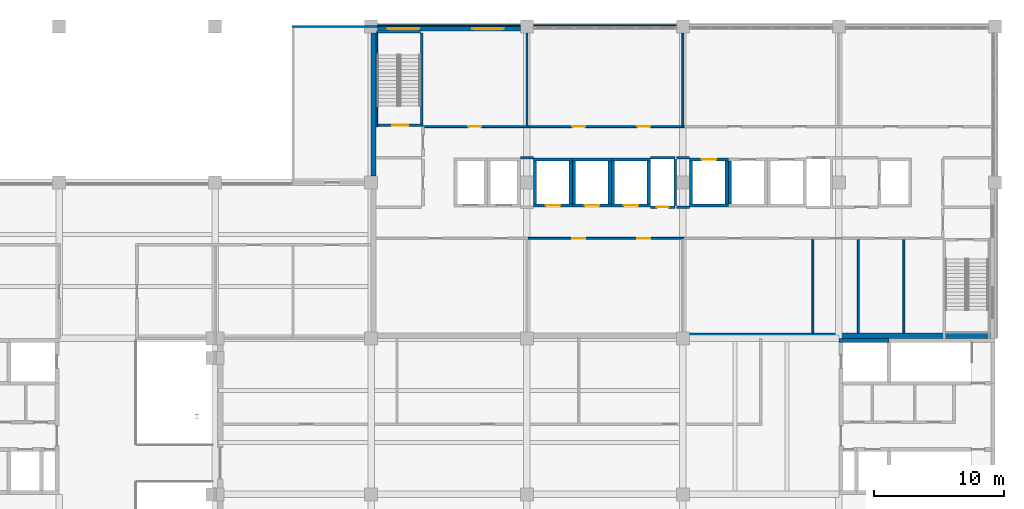
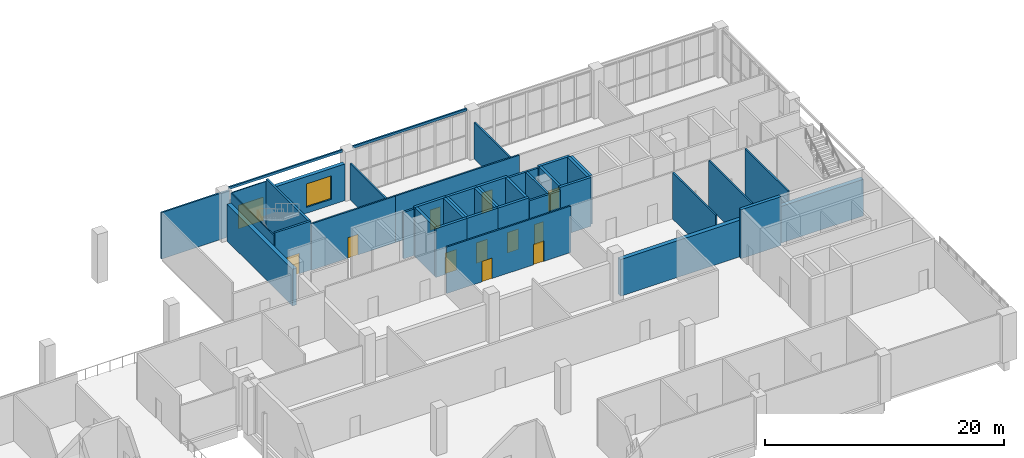
# One storey, part 63 of 69: 42 walls, 11 doors, 2 windows, 13 openings.
"""IFC4 building model written with IfcOpenShell, lengths in metres."""

import ifcopenshell
import ifcopenshell.guid

model = None  # the IFC model being written
_history = None  # IfcOwnerHistory: only IFC2X3 demands one
_inside = {}  # id of a spatial element -> (the spatial element, [elements in it])
_under = {}  # id of a project, library or spatial element -> (it, [spatial elements below it])
_declared = {}  # id of a project -> (the project, [libraries it declares])
_typed = {}  # id of a type object -> (the type object, [elements of that type])
_made_of = {}  # id of a material, layer set ... -> (it, [elements and type objects made of it])


def new_model(schema):
    """Start an empty IFC model of exactly this schema.

    Asked for "IFC4X3", IfcOpenShell would pick the latest addendum, in which some entities
    have other attributes; the version numbers below select the first issue.
    IFC2X3 requires an IfcOwnerHistory on every rooted entity: one is made here for all.
    """
    global model, _history
    if schema == "IFC4X3":
        model = ifcopenshell.file(schema_version=(4, 3, 0, 0))
    else:
        model = ifcopenshell.file(schema=schema)
    _inside.clear()
    _under.clear()
    _declared.clear()
    _typed.clear()
    _made_of.clear()
    _history = None
    if model.schema == "IFC2X3":
        org = make("IfcOrganization", Name="unknown")
        user = make(
            "IfcPersonAndOrganization",
            ThePerson=make("IfcPerson", FamilyName="unknown"),
            TheOrganization=org,
        )
        app = make(
            "IfcApplication",
            ApplicationDeveloper=org,
            Version="unknown",
            ApplicationFullName="unknown",
            ApplicationIdentifier="unknown",
        )
        _history = make(
            "IfcOwnerHistory",
            OwningUser=user,
            OwningApplication=app,
            ChangeAction="ADDED",
            CreationDate=0,
        )
    return model


def make(cls, **values):
    """One entity of the class cls with the attributes given. An attribute that is None is left unset."""
    return model.create_entity(
        cls, **{name: value for name, value in values.items() if value is not None}
    )


def rooted(cls, **values):
    """An entity with a GlobalId (a new one), such as an element, a storey or a relation."""
    return make(cls, GlobalId=ifcopenshell.guid.new(), OwnerHistory=_history, **values)


def si_unit(unit_type, name, prefix=None):
    """IfcSIUnit, for example si_unit("LENGTHUNIT", "METRE", prefix="MILLI")."""
    return make("IfcSIUnit", UnitType=unit_type, Prefix=prefix, Name=name)


def assignment(units):
    """IfcUnitAssignment: the units of a project."""
    return None if units is None else make("IfcUnitAssignment", Units=units)


def point(xyz):
    """IfcCartesianPoint."""
    return None if xyz is None else make("IfcCartesianPoint", Coordinates=xyz)


def direction(xyz):
    """IfcDirection."""
    return None if xyz is None else make("IfcDirection", DirectionRatios=xyz)


def frame(location, z_axis=None, x_axis=None):
    """IfcAxis2Placement3D, a coordinate frame: its origin and axes. An axis left out is left unset."""
    return make(
        "IfcAxis2Placement3D",
        Location=point(location),
        Axis=direction(z_axis),
        RefDirection=direction(x_axis),
    )


def frame_2d(location, x_axis=None):
    """IfcAxis2Placement2D, a coordinate frame in the plane: its origin and x axis."""
    return make(
        "IfcAxis2Placement2D", Location=point(location), RefDirection=direction(x_axis)
    )


def origin():
    """The frame at (0, 0, 0) with its axes left unset."""
    return frame((0.0, 0.0, 0.0))


def place(relative_to, where):
    """IfcLocalPlacement: puts the frame where relative to a parent placement (None: the world)."""
    return make(
        "IfcLocalPlacement", PlacementRelTo=relative_to, RelativePlacement=where
    )


def context(
    kind, dimensions, precision=None, world=None, true_north=None, identifier=None
):
    """IfcGeometricRepresentationContext, for example the 3D "Model" context."""
    return make(
        "IfcGeometricRepresentationContext",
        ContextIdentifier=identifier,
        ContextType=kind,
        CoordinateSpaceDimension=dimensions,
        Precision=precision,
        WorldCoordinateSystem=world,
        TrueNorth=true_north,
    )


def subcontext(parent, identifier, kind, view, scale=None):
    """IfcGeometricRepresentationSubContext, for example "Body" below "Model"."""
    return make(
        "IfcGeometricRepresentationSubContext",
        ContextIdentifier=identifier,
        ContextType=kind,
        ParentContext=parent,
        TargetScale=scale,
        TargetView=view,
    )


def project(units=None, contexts=None):
    """IfcProject with its units and contexts."""
    return rooted(
        "IfcProject",
        Name="project",
        RepresentationContexts=contexts,
        UnitsInContext=assignment(units),
    )


def spatial(cls, under=None, at=None, **own):
    """A site, building, storey or space (cls), placed at a placement, below another one or the project."""
    s = rooted(cls, ObjectPlacement=at, **own)
    if under is not None:
        _under.setdefault(under.id(), (under, []))[1].append(s)
    return s


def profile(cls, at=None, kind="AREA", **sizes):
    """A parametric profile (cls). Its sizes go by their IFC names, for example OverallWidth=200.0."""
    return make(cls, ProfileType=kind, Position=at, **sizes)


def rectangle(**sizes):
    """IfcRectangleProfileDef."""
    return profile("IfcRectangleProfileDef", **sizes)


def extrude(swept, where, along, depth):
    """IfcExtrudedAreaSolid: the profile swept, set in the frame where, extruded along a direction by depth."""
    return make(
        "IfcExtrudedAreaSolid",
        SweptArea=swept,
        Position=where,
        ExtrudedDirection=direction(along),
        Depth=depth,
    )


def shape(context_of_items, identifier, shape_type, items):
    """IfcShapeRepresentation: the items that make up one representation, for example the "Body"."""
    return make(
        "IfcShapeRepresentation",
        ContextOfItems=context_of_items,
        RepresentationIdentifier=identifier,
        RepresentationType=shape_type,
        Items=items,
    )


def material(Name=None, Category=None):
    """IfcMaterial."""
    return make("IfcMaterial", Name=Name, Category=Category)


def layer(
    of_material, thickness, ventilated=None, Name=None, Category=None, Priority=None
):
    """IfcMaterialLayer: one layer of a wall or slab, of a material (None: an air gap)."""
    return make(
        "IfcMaterialLayer",
        Material=of_material,
        LayerThickness=thickness,
        IsVentilated=ventilated,
        Name=Name,
        Category=Category,
        Priority=Priority,
    )


def layer_set(layers, Name=None):
    """IfcMaterialLayerSet."""
    return make("IfcMaterialLayerSet", MaterialLayers=layers, LayerSetName=Name)


def made_of(thing, what):
    """Note that an element or type object is made of a material, layer set ...; save() writes the relation."""
    if what is not None:
        _made_of.setdefault(what.id(), (what, []))[1].append(thing)
    return thing


def type_object(cls, material=None, **own):
    """A type object (cls), such as IfcWallType, which elements share."""
    return made_of(rooted(cls, **own), material)


def element(
    cls,
    number,
    at=None,
    inside=None,
    cuts=None,
    type_object=None,
    material=None,
    context=None,
    identifier="Body",
    shape_type=None,
    held_by="IfcProductDefinitionShape",
    body=None,
    shapes=None,
    **own,
):
    """One element of the class cls, such as IfcWall. Its Tag is "e" and its number.

    at: its placement. inside: the storey or other place that contains it. cuts: it is an
    opening in that element (IfcRelVoidsElement). A single representation is given by context,
    identifier, shape_type and body (its items); several are given by shapes. held_by: the class
    of the entity that holds the representations. save() writes the other relations.
    """
    e = rooted(cls, Tag="e%d" % number, ObjectPlacement=at, **own)
    if body is not None:
        shapes = [shape(context, identifier, shape_type, body)]
    if shapes is not None:
        e.Representation = make(held_by, Representations=shapes)
    if inside is not None:
        _inside.setdefault(inside.id(), (inside, []))[1].append(e)
    if cuts is not None:
        rooted(
            "IfcRelVoidsElement", RelatingBuildingElement=cuts, RelatedOpeningElement=e
        )
    if type_object is not None:
        _typed.setdefault(type_object.id(), (type_object, []))[1].append(e)
    return made_of(e, material)


def fill(opening, filler):
    """IfcRelFillsElement: the door or window that sits in an opening."""
    return rooted(
        "IfcRelFillsElement",
        RelatingOpeningElement=opening,
        RelatedBuildingElement=filler,
    )


def aggregate(whole, parts):
    """IfcRelAggregates: a whole, such as a stair, and the parts it consists of."""
    return rooted("IfcRelAggregates", RelatingObject=whole, RelatedObjects=parts)


def save(model, path):
    """Write the relations noted so far, then the file.

    IfcRelAggregates (storeys below a building ...), IfcRelContainedInSpatialStructure (elements
    in a storey), IfcRelDefinesByType, IfcRelAssociatesMaterial and IfcRelDeclares: one each for
    every whole, place, type object, material and project.
    """
    for whole, parts in _under.values():
        aggregate(whole, parts)
    for where, things in _inside.values():
        rooted(
            "IfcRelContainedInSpatialStructure",
            RelatedElements=things,
            RelatingStructure=where,
        )
    for kind, things in _typed.values():
        rooted("IfcRelDefinesByType", RelatedObjects=things, RelatingType=kind)
    for what, things in _made_of.values():
        rooted("IfcRelAssociatesMaterial", RelatedObjects=things, RelatingMaterial=what)
    for by, libraries in _declared.values():
        rooted("IfcRelDeclares", RelatingContext=by, RelatedDefinitions=libraries)
    model.write(path)


model = new_model("IFC4")

# Units and contexts
model_context = context("Model", 3, precision=1e-05, world=origin(), true_north=direction((0.0, 1.0)))
body_context = subcontext(model_context, "Body", "Model", "MODEL_VIEW")
ifc_project = project(units=[si_unit("LENGTHUNIT", "METRE"), si_unit("AREAUNIT", "SQUARE_METRE"), si_unit("VOLUMEUNIT", "CUBIC_METRE"), si_unit("PLANEANGLEUNIT", "RADIAN"), si_unit("MASSUNIT", "GRAM", prefix="KILO")], contexts=[model_context])

# Site, building, storey
site_placement = place(None, origin())
site = spatial("IfcSite", under=ifc_project, at=site_placement, CompositionType="ELEMENT")
building_placement = place(site_placement, origin())
building = spatial("IfcBuilding", under=site, at=building_placement, Name="Lilac Gate Convention Centre", CompositionType="ELEMENT")
storey_placement = place(building_placement, frame((0.0, 0.0, 12.0)))
storey = spatial("IfcBuildingStorey", under=building, at=storey_placement, Name="L02", CompositionType="ELEMENT", Elevation=12.0)

# Walls
ifc_material_1 = material(Name="Concrete C60", Category="concrete")
ifc_layer_1 = layer(ifc_material_1, 0.10009765625)
ifc_layer_set_1 = layer_set([ifc_layer_1], Name="Concrete C60")
wall_type_1 = type_object("IfcWallType", Name="Core wall 100 C60", PredefinedType="SHEAR", material=ifc_layer_set_1)
wall_1_placement = place(storey_placement, frame((42.449951171875, 238.300048828125, 0.0), z_axis=(0.0, 0.0, 1.0), x_axis=(0.0, 1.0, 0.0)))
element("IfcWall", 1, at=wall_1_placement, inside=storey, type_object=wall_type_1, Name="CRW8 core wall TS-WX L02 1", PredefinedType="SHEAR", context=body_context, shape_type="SweptSolid", body=[
    extrude(rectangle(XDim=7.300048828125, YDim=0.10009765625, at=frame_2d((3.64990234375, 0.0))), origin(), (0.0, 0.0, 1.0), 4.75),
])
wall_2_placement = place(storey_placement, frame((42.5, 245.550048828125, 0.0), z_axis=(0.0, 0.0, 1.0), x_axis=(1.0, 0.0, 0.0)))
element("IfcWall", 2, at=wall_2_placement, inside=storey, type_object=wall_type_1, Name="CRW8 core wall TS-WX L02 2", PredefinedType="SHEAR", context=body_context, shape_type="SweptSolid", body=[
    extrude(rectangle(XDim=3.300048828125, YDim=0.10009765625, at=frame_2d((1.64990234375, 0.0))), origin(), (0.0, 0.0, 1.0), 4.75),
])

# Wall, opening, door
ifc_layer_2 = layer(ifc_material_1, 0.199951171875)
ifc_layer_set_2 = layer_set([ifc_layer_2], Name="Concrete C60")
wall_type_2 = type_object("IfcWallType", Name="Core wall 200 C60", PredefinedType="SHEAR", material=ifc_layer_set_2)
wall_3_placement = place(storey_placement, frame((42.5, 238.39990234375, 0.0), z_axis=(0.0, 0.0, 1.0), x_axis=(1.0, 0.0, 0.0)))
wall_3 = element("IfcWall", 3, at=wall_3_placement, inside=storey, type_object=wall_type_2, Name="CRW2 core wall TS-W L02 1", PredefinedType="SHEAR", context=body_context, shape_type="SweptSolid", body=[
    extrude(rectangle(XDim=3.5, YDim=0.199951171875, at=frame_2d((1.75, 0.0))), origin(), (0.0, 0.0, 1.0), 5.0),
])
opening_1_placement = place(wall_3_placement, frame((1.14990234375, 0.0, 0.0)))
opening_1 = element("IfcOpeningElement", 4, at=opening_1_placement, cuts=wall_3, Name="Opening T02-033", PredefinedType="OPENING", context=body_context, shape_type="SweptSolid", body=[
    extrude(rectangle(XDim=1.199951171875, YDim=2.10009765625, at=frame_2d((0.60009765625, 1.050048828125))), frame((0.0, 0.10986328125, 0.0), z_axis=(0.0, -1.0, 0.0), x_axis=(1.0, 0.0, 0.0)), (0.0, 0.0, 1.0), 0.219970703125),
])
ifc_material_2 = material(Name="Steel Q235B", Category="steel")
door_type_1 = type_object("IfcDoorType", Name="Stair door 1200", OperationType="SINGLE_SWING_LEFT", PredefinedType="DOOR", material=ifc_material_2)
door_1_placement = place(opening_1_placement, origin())
door_1 = element("IfcDoor", 5, at=door_1_placement, inside=storey, type_object=door_type_1, Name="Stair door NW L02", OperationType="SINGLE_SWING_RIGHT", OverallHeight=2.10009765625, OverallWidth=1.199951171875, PredefinedType="DOOR", context=body_context, shape_type="SweptSolid", body=[
    extrude(rectangle(XDim=1.199951171875, YDim=2.10009765625, at=frame_2d((0.60009765625, 1.050048828125))), frame((0.0, 0.02490234375, 0.0), z_axis=(0.0, -1.0, 0.0), x_axis=(1.0, 0.0, 0.0)), (0.0, 0.0, 1.0), 0.050048828125),
])
fill(opening_1, door_1)

# Wall
wall_4_placement = place(storey_placement, frame((45.89990234375, 238.5, 0.0), z_axis=(0.0, 0.0, 1.0), x_axis=(0.0, 1.0, 0.0)))
element("IfcWall", 6, at=wall_4_placement, inside=storey, type_object=wall_type_2, Name="CRW2 core wall TS-W L02 2", PredefinedType="SHEAR", context=body_context, shape_type="SweptSolid", body=[
    extrude(rectangle(XDim=7.0, YDim=0.199951171875, at=frame_2d((3.5, 0.0))), origin(), (0.0, 0.0, 1.0), 5.0),
])

# Wall, opening, door
ifc_layer_3 = layer(ifc_material_1, 0.25)
ifc_layer_set_3 = layer_set([ifc_layer_3], Name="Concrete C60")
wall_type_3 = type_object("IfcWallType", Name="Core wall 250 C60", PredefinedType="SHEAR", material=ifc_layer_set_3)
wall_5_placement = place(storey_placement, frame((54.5, 232.22509765625, 0.0), z_axis=(0.0, 0.0, 1.0), x_axis=(1.0, 0.0, 0.0)))
wall_5 = element("IfcWall", 7, at=wall_5_placement, inside=storey, type_object=wall_type_3, Name="CRW3 core wall TC L02 1", PredefinedType="SHEAR", context=body_context, shape_type="SweptSolid", body=[
    extrude(rectangle(XDim=3.0, YDim=0.25, at=frame_2d((1.5, 0.0))), origin(), (0.0, 0.0, 1.0), 5.0),
])
opening_2_placement = place(wall_5_placement, frame((0.949951171875, 0.0, 0.0)))
opening_2 = element("IfcOpeningElement", 8, at=opening_2_placement, cuts=wall_5, Name="Opening T02-024", PredefinedType="OPENING", context=body_context, shape_type="SweptSolid", body=[
    extrude(rectangle(XDim=1.10009765625, YDim=2.10009765625, at=frame_2d((0.550048828125, 1.050048828125))), frame((0.0, 0.135009765625, 0.0), z_axis=(0.0, -1.0, 0.0), x_axis=(1.0, 0.0, 0.0)), (0.0, 0.0, 1.0), 0.27001953125),
])
ifc_material_3 = material(Name="Stainless steel 304", Category="steel")
door_type_2 = type_object("IfcDoorType", Name="Lift landing door 1100", OperationType="SLIDING_TO_LEFT", PredefinedType="DOOR", material=ifc_material_3)
door_2_placement = place(opening_2_placement, origin())
door_2 = element("IfcDoor", 9, at=door_2_placement, inside=storey, type_object=door_type_2, Name="Lift landing door TP1 L02", OperationType="SLIDING_TO_LEFT", OverallHeight=2.10009765625, OverallWidth=1.10009765625, PredefinedType="DOOR", context=body_context, shape_type="SweptSolid", body=[
    extrude(rectangle(XDim=1.10009765625, YDim=2.10009765625, at=frame_2d((0.550048828125, 1.050048828125))), frame((0.0, 0.02490234375, 0.0), z_axis=(0.0, -1.0, 0.0), x_axis=(1.0, 0.0, 0.0)), (0.0, 0.0, 1.0), 0.050048828125),
])
fill(opening_2, door_2)

# Walls
wall_6_placement = place(storey_placement, frame((54.5, 235.77490234375, 0.0), z_axis=(0.0, 0.0, 1.0), x_axis=(1.0, 0.0, 0.0)))
element("IfcWall", 10, at=wall_6_placement, inside=storey, type_object=wall_type_3, Name="CRW3 core wall TC L02 2", PredefinedType="SHEAR", context=body_context, shape_type="SweptSolid", body=[
    extrude(rectangle(XDim=3.0, YDim=0.25, at=frame_2d((1.5, 0.0))), origin(), (0.0, 0.0, 1.0), 5.0),
])
for number, where, z_axis, x_axis, name in (
    (11, (54.625, 232.35009765625, 0.0), (0.0, 0.0, 1.0), (0.0, 1.0, 0.0), "CRW3 core wall TC L02 3"),
    (12, (57.375, 232.35009765625, 0.0), (0.0, 0.0, 1.0), (0.0, 1.0, 0.0), "CRW3 core wall TC L02 4"),
):
    element("IfcWall", number, at=place(storey_placement, frame(where, z_axis=z_axis, x_axis=x_axis)), inside=storey, type_object=wall_type_3, Name=name, PredefinedType="SHEAR", context=body_context, shape_type="SweptSolid", body=[
        extrude(rectangle(XDim=3.2998046875, YDim=0.25, at=frame_2d((1.64990234375, 0.0))), origin(), (0.0, 0.0, 1.0), 5.0),
    ])

# Wall, opening, door
wall_7_placement = place(storey_placement, frame((57.5, 232.22509765625, 0.0), z_axis=(0.0, 0.0, 1.0), x_axis=(1.0, 0.0, 0.0)))
wall_7 = element("IfcWall", 13, at=wall_7_placement, inside=storey, type_object=wall_type_3, Name="CRW3 core wall TC L02 5", PredefinedType="SHEAR", context=body_context, shape_type="SweptSolid", body=[
    extrude(rectangle(XDim=3.0, YDim=0.25, at=frame_2d((1.5, 0.0))), origin(), (0.0, 0.0, 1.0), 5.0),
])
opening_3_placement = place(wall_7_placement, frame((0.949951171875, 0.0, 0.0)))
opening_3 = element("IfcOpeningElement", 14, at=opening_3_placement, cuts=wall_7, Name="Opening T02-025", PredefinedType="OPENING", context=body_context, shape_type="SweptSolid", body=[
    extrude(rectangle(XDim=1.10009765625, YDim=2.10009765625, at=frame_2d((0.550048828125, 1.050048828125))), frame((0.0, 0.135009765625, 0.0), z_axis=(0.0, -1.0, 0.0), x_axis=(1.0, 0.0, 0.0)), (0.0, 0.0, 1.0), 0.27001953125),
])
door_3_placement = place(opening_3_placement, origin())
door_3 = element("IfcDoor", 15, at=door_3_placement, inside=storey, type_object=door_type_2, Name="Lift landing door TP2 L02", OperationType="SLIDING_TO_LEFT", OverallHeight=2.10009765625, OverallWidth=1.10009765625, PredefinedType="DOOR", context=body_context, shape_type="SweptSolid", body=[
    extrude(rectangle(XDim=1.10009765625, YDim=2.10009765625, at=frame_2d((0.550048828125, 1.050048828125))), frame((0.0, 0.02490234375, 0.0), z_axis=(0.0, -1.0, 0.0), x_axis=(1.0, 0.0, 0.0)), (0.0, 0.0, 1.0), 0.050048828125),
])
fill(opening_3, door_3)

# Walls
wall_8_placement = place(storey_placement, frame((57.5, 235.77490234375, 0.0), z_axis=(0.0, 0.0, 1.0), x_axis=(1.0, 0.0, 0.0)))
element("IfcWall", 16, at=wall_8_placement, inside=storey, type_object=wall_type_3, Name="CRW3 core wall TC L02 6", PredefinedType="SHEAR", context=body_context, shape_type="SweptSolid", body=[
    extrude(rectangle(XDim=3.0, YDim=0.25, at=frame_2d((1.5, 0.0))), origin(), (0.0, 0.0, 1.0), 5.0),
])
for number, where, z_axis, x_axis, name in (
    (17, (57.625, 232.35009765625, 0.0), (0.0, 0.0, 1.0), (0.0, 1.0, 0.0), "CRW3 core wall TC L02 7"),
    (18, (60.375, 232.35009765625, 0.0), (0.0, 0.0, 1.0), (0.0, 1.0, 0.0), "CRW3 core wall TC L02 8"),
):
    element("IfcWall", number, at=place(storey_placement, frame(where, z_axis=z_axis, x_axis=x_axis)), inside=storey, type_object=wall_type_3, Name=name, PredefinedType="SHEAR", context=body_context, shape_type="SweptSolid", body=[
        extrude(rectangle(XDim=3.2998046875, YDim=0.25, at=frame_2d((1.64990234375, 0.0))), origin(), (0.0, 0.0, 1.0), 5.0),
    ])

# Wall, opening, door
wall_9_placement = place(storey_placement, frame((60.5, 232.22509765625, 0.0), z_axis=(0.0, 0.0, 1.0), x_axis=(1.0, 0.0, 0.0)))
wall_9 = element("IfcWall", 19, at=wall_9_placement, inside=storey, type_object=wall_type_3, Name="CRW3 core wall TC L02 9", PredefinedType="SHEAR", context=body_context, shape_type="SweptSolid", body=[
    extrude(rectangle(XDim=3.0, YDim=0.25, at=frame_2d((1.5, 0.0))), origin(), (0.0, 0.0, 1.0), 5.0),
])
opening_4_placement = place(wall_9_placement, frame((0.949951171875, 0.0, 0.0)))
opening_4 = element("IfcOpeningElement", 20, at=opening_4_placement, cuts=wall_9, Name="Opening T02-026", PredefinedType="OPENING", context=body_context, shape_type="SweptSolid", body=[
    extrude(rectangle(XDim=1.10009765625, YDim=2.10009765625, at=frame_2d((0.550048828125, 1.050048828125))), frame((0.0, 0.135009765625, 0.0), z_axis=(0.0, -1.0, 0.0), x_axis=(1.0, 0.0, 0.0)), (0.0, 0.0, 1.0), 0.27001953125),
])
door_4_placement = place(opening_4_placement, origin())
door_4 = element("IfcDoor", 21, at=door_4_placement, inside=storey, type_object=door_type_2, Name="Lift landing door TP3 L02", OperationType="SLIDING_TO_LEFT", OverallHeight=2.10009765625, OverallWidth=1.10009765625, PredefinedType="DOOR", context=body_context, shape_type="SweptSolid", body=[
    extrude(rectangle(XDim=1.10009765625, YDim=2.10009765625, at=frame_2d((0.550048828125, 1.050048828125))), frame((0.0, 0.02490234375, 0.0), z_axis=(0.0, -1.0, 0.0), x_axis=(1.0, 0.0, 0.0)), (0.0, 0.0, 1.0), 0.050048828125),
])
fill(opening_4, door_4)

# Walls
wall_10_placement = place(storey_placement, frame((60.5, 235.77490234375, 0.0), z_axis=(0.0, 0.0, 1.0), x_axis=(1.0, 0.0, 0.0)))
element("IfcWall", 22, at=wall_10_placement, inside=storey, type_object=wall_type_3, Name="CRW3 core wall TC L02 10", PredefinedType="SHEAR", context=body_context, shape_type="SweptSolid", body=[
    extrude(rectangle(XDim=3.0, YDim=0.25, at=frame_2d((1.5, 0.0))), origin(), (0.0, 0.0, 1.0), 5.0),
])
for number, where, z_axis, x_axis, name in (
    (23, (60.625, 232.35009765625, 0.0), (0.0, 0.0, 1.0), (0.0, 1.0, 0.0), "CRW3 core wall TC L02 11"),
    (24, (63.375, 232.35009765625, 0.0), (0.0, 0.0, 1.0), (0.0, 1.0, 0.0), "CRW3 core wall TC L02 12"),
):
    element("IfcWall", number, at=place(storey_placement, frame(where, z_axis=z_axis, x_axis=x_axis)), inside=storey, type_object=wall_type_3, Name=name, PredefinedType="SHEAR", context=body_context, shape_type="SweptSolid", body=[
        extrude(rectangle(XDim=3.2998046875, YDim=0.25, at=frame_2d((1.64990234375, 0.0))), origin(), (0.0, 0.0, 1.0), 5.0),
    ])
wall_11_placement = place(storey_placement, frame((66.5, 232.22509765625, 0.0), z_axis=(0.0, 0.0, 1.0), x_axis=(1.0, 0.0, 0.0)))
element("IfcWall", 25, at=wall_11_placement, inside=storey, type_object=wall_type_3, Name="CRW3 core wall TC L02 13", PredefinedType="SHEAR", context=body_context, shape_type="SweptSolid", body=[
    extrude(rectangle(XDim=3.0, YDim=0.25, at=frame_2d((1.5, 0.0))), origin(), (0.0, 0.0, 1.0), 5.0),
])

# Wall, opening, door
wall_12_placement = place(storey_placement, frame((66.5, 235.77490234375, 0.0), z_axis=(0.0, 0.0, 1.0), x_axis=(1.0, 0.0, 0.0)))
wall_12 = element("IfcWall", 26, at=wall_12_placement, inside=storey, type_object=wall_type_3, Name="CRW3 core wall TC L02 14", PredefinedType="SHEAR", context=body_context, shape_type="SweptSolid", body=[
    extrude(rectangle(XDim=3.0, YDim=0.25, at=frame_2d((1.5, 0.0))), origin(), (0.0, 0.0, 1.0), 5.0),
])
opening_5_placement = place(wall_12_placement, frame((0.949951171875, 0.0, 0.0)))
opening_5 = element("IfcOpeningElement", 27, at=opening_5_placement, cuts=wall_12, Name="Opening T02-027", PredefinedType="OPENING", context=body_context, shape_type="SweptSolid", body=[
    extrude(rectangle(XDim=1.10009765625, YDim=2.10009765625, at=frame_2d((0.550048828125, 1.050048828125))), frame((0.0, 0.135009765625, 0.0), z_axis=(0.0, -1.0, 0.0), x_axis=(1.0, 0.0, 0.0)), (0.0, 0.0, 1.0), 0.27001953125),
])
door_5_placement = place(opening_5_placement, origin())
door_5 = element("IfcDoor", 28, at=door_5_placement, inside=storey, type_object=door_type_2, Name="Lift landing door TP4 L02", OperationType="SLIDING_TO_LEFT", OverallHeight=2.10009765625, OverallWidth=1.10009765625, PredefinedType="DOOR", context=body_context, shape_type="SweptSolid", body=[
    extrude(rectangle(XDim=1.10009765625, YDim=2.10009765625, at=frame_2d((0.550048828125, 1.050048828125))), frame((0.0, 0.02490234375, 0.0), z_axis=(0.0, -1.0, 0.0), x_axis=(1.0, 0.0, 0.0)), (0.0, 0.0, 1.0), 0.050048828125),
])
fill(opening_5, door_5)

# Walls
for number, where, z_axis, x_axis, name in (
    (29, (66.625, 232.35009765625, 0.0), (0.0, 0.0, 1.0), (0.0, 1.0, 0.0), "CRW3 core wall TC L02 15"),
    (30, (69.375, 232.35009765625, 0.0), (0.0, 0.0, 1.0), (0.0, 1.0, 0.0), "CRW3 core wall TC L02 16"),
    (31, (69.625, 232.35009765625, 0.0), (0.0, 0.0, 1.0), (0.0, 1.0, 0.0), "CRW3 core wall TC L02 19"),
):
    element("IfcWall", number, at=place(storey_placement, frame(where, z_axis=z_axis, x_axis=x_axis)), inside=storey, type_object=wall_type_3, Name=name, PredefinedType="SHEAR", context=body_context, shape_type="SweptSolid", body=[
        extrude(rectangle(XDim=3.2998046875, YDim=0.25, at=frame_2d((1.64990234375, 0.0))), origin(), (0.0, 0.0, 1.0), 5.0),
    ])

# Wall, openings, doors
ifc_material_4 = material(Name="Gypsum board on steel stud", Category="steel")
ifc_layer_4 = layer(ifc_material_4, 0.14990234375)
ifc_layer_set_4 = layer_set([ifc_layer_4], Name="Gypsum board on steel stud")
wall_type_4 = type_object("IfcWallType", Name="Corridor wall 150", PredefinedType="PARTITIONING", material=ifc_layer_set_4)
wall_13_placement = place(storey_placement, frame((66.10009765625, 229.699951171875, 0.0), z_axis=(0.0, 0.0, 1.0), x_axis=(-1.0, 0.0, 0.0)))
wall_13 = element("IfcWall", 32, at=wall_13_placement, inside=storey, type_object=wall_type_4, Name="Corridor wall 150 front M52", PredefinedType="PARTITIONING", context=body_context, shape_type="SweptSolid", body=[
    extrude(rectangle(XDim=12.0, YDim=0.14990234375, at=frame_2d((6.0, 0.0))), origin(), (0.0, 0.0, 1.0), 4.75),
])
opening_6_placement = place(wall_13_placement, frame((7.60009765625, 0.0, 0.0)))
opening_6 = element("IfcOpeningElement", 33, at=opening_6_placement, cuts=wall_13, Name="Opening T02-010", PredefinedType="OPENING", context=body_context, shape_type="SweptSolid", body=[
    extrude(rectangle(XDim=1.0, YDim=2.10009765625, at=frame_2d((0.5, 1.050048828125))), frame((0.0, 0.0849609375, 0.0), z_axis=(0.0, -1.0, 0.0), x_axis=(1.0, 0.0, 0.0)), (0.0, 0.0, 1.0), 0.169921875),
])
opening_7_placement = place(wall_13_placement, frame((2.60009765625, 0.0, 0.0)))
opening_7 = element("IfcOpeningElement", 34, at=opening_7_placement, cuts=wall_13, Name="Opening T02-011", PredefinedType="OPENING", context=body_context, shape_type="SweptSolid", body=[
    extrude(rectangle(XDim=1.0, YDim=2.10009765625, at=frame_2d((0.5, 1.050048828125))), frame((0.0, 0.0849609375, 0.0), z_axis=(0.0, -1.0, 0.0), x_axis=(1.0, 0.0, 0.0)), (0.0, 0.0, 1.0), 0.169921875),
])
ifc_material_5 = material(Name="Timber", Category="wood")
door_type_3 = type_object("IfcDoorType", Name="Room door 1000", OperationType="SINGLE_SWING_LEFT", PredefinedType="DOOR", material=ifc_material_5)
door_6_placement = place(opening_6_placement, origin())
door_6 = element("IfcDoor", 35, at=door_6_placement, inside=storey, type_object=door_type_3, Name="Meeting Room door", OperationType="SINGLE_SWING_RIGHT", OverallHeight=2.10009765625, OverallWidth=1.0, PredefinedType="DOOR", context=body_context, shape_type="SweptSolid", body=[
    extrude(rectangle(XDim=1.0, YDim=2.10009765625, at=frame_2d((0.5, 1.050048828125))), frame((0.0, 0.02490234375, 0.0), z_axis=(0.0, -1.0, 0.0), x_axis=(1.0, 0.0, 0.0)), (0.0, 0.0, 1.0), 0.050048828125),
])
fill(opening_6, door_6)
door_7_placement = place(opening_7_placement, origin())
door_7 = element("IfcDoor", 36, at=door_7_placement, inside=storey, type_object=door_type_3, Name="Meeting Room door", OperationType="SINGLE_SWING_LEFT", OverallHeight=2.10009765625, OverallWidth=1.0, PredefinedType="DOOR", context=body_context, shape_type="SweptSolid", body=[
    extrude(rectangle(XDim=1.0, YDim=2.10009765625, at=frame_2d((0.5, 1.050048828125))), frame((0.0, 0.02490234375, 0.0), z_axis=(0.0, -1.0, 0.0), x_axis=(1.0, 0.0, 0.0)), (0.0, 0.0, 1.0), 0.050048828125),
])
fill(opening_7, door_7)

# Wall, opening, door
wall_14_placement = place(storey_placement, frame((46.0, 238.300048828125, 0.0), z_axis=(0.0, 0.0, 1.0), x_axis=(1.0, 0.0, 0.0)))
wall_14 = element("IfcWall", 37, at=wall_14_placement, inside=storey, type_object=wall_type_4, Name="Corridor wall 150 front SPR", PredefinedType="PARTITIONING", context=body_context, shape_type="SweptSolid", body=[
    extrude(rectangle(XDim=8.10009765625, YDim=0.14990234375, at=frame_2d((4.050048828125, 0.0))), origin(), (0.0, 0.0, 1.0), 4.75),
])
opening_8_placement = place(wall_14_placement, frame((3.5, 0.0, 0.0)))
opening_8 = element("IfcOpeningElement", 38, at=opening_8_placement, cuts=wall_14, Name="Opening T02-017", PredefinedType="OPENING", context=body_context, shape_type="SweptSolid", body=[
    extrude(rectangle(XDim=1.0, YDim=2.10009765625, at=frame_2d((0.5, 1.050048828125))), frame((0.0, 0.0849609375, 0.0), z_axis=(0.0, -1.0, 0.0), x_axis=(1.0, 0.0, 0.0)), (0.0, 0.0, 1.0), 0.169921875),
])
door_8_placement = place(opening_8_placement, origin())
door_8 = element("IfcDoor", 39, at=door_8_placement, inside=storey, type_object=door_type_3, Name="Spa Reception door", OperationType="SINGLE_SWING_RIGHT", OverallHeight=2.10009765625, OverallWidth=1.0, PredefinedType="DOOR", context=body_context, shape_type="SweptSolid", body=[
    extrude(rectangle(XDim=1.0, YDim=2.10009765625, at=frame_2d((0.5, 1.050048828125))), frame((0.0, 0.02490234375, 0.0), z_axis=(0.0, -1.0, 0.0), x_axis=(1.0, 0.0, 0.0)), (0.0, 0.0, 1.0), 0.050048828125),
])
fill(opening_8, door_8)

# Wall, openings, doors
wall_15_placement = place(storey_placement, frame((54.10009765625, 238.300048828125, 0.0), z_axis=(0.0, 0.0, 1.0), x_axis=(1.0, 0.0, 0.0)))
wall_15 = element("IfcWall", 40, at=wall_15_placement, inside=storey, type_object=wall_type_4, Name="Corridor wall 150 front M55", PredefinedType="PARTITIONING", context=body_context, shape_type="SweptSolid", body=[
    extrude(rectangle(XDim=12.0, YDim=0.14990234375, at=frame_2d((6.0, 0.0))), origin(), (0.0, 0.0, 1.0), 4.75),
])
opening_9_placement = place(wall_15_placement, frame((3.39990234375, 0.0, 0.0)))
opening_9 = element("IfcOpeningElement", 41, at=opening_9_placement, cuts=wall_15, Name="Opening T02-018", PredefinedType="OPENING", context=body_context, shape_type="SweptSolid", body=[
    extrude(rectangle(XDim=1.0, YDim=2.10009765625, at=frame_2d((0.5, 1.050048828125))), frame((0.0, 0.0849609375, 0.0), z_axis=(0.0, -1.0, 0.0), x_axis=(1.0, 0.0, 0.0)), (0.0, 0.0, 1.0), 0.169921875),
])
opening_10_placement = place(wall_15_placement, frame((8.39990234375, 0.0, 0.0)))
opening_10 = element("IfcOpeningElement", 42, at=opening_10_placement, cuts=wall_15, Name="Opening T02-019", PredefinedType="OPENING", context=body_context, shape_type="SweptSolid", body=[
    extrude(rectangle(XDim=1.0, YDim=2.10009765625, at=frame_2d((0.5, 1.050048828125))), frame((0.0, 0.0849609375, 0.0), z_axis=(0.0, -1.0, 0.0), x_axis=(1.0, 0.0, 0.0)), (0.0, 0.0, 1.0), 0.169921875),
])
door_9_placement = place(opening_9_placement, origin())
door_9 = element("IfcDoor", 43, at=door_9_placement, inside=storey, type_object=door_type_3, Name="Meeting Room door", OperationType="SINGLE_SWING_LEFT", OverallHeight=2.10009765625, OverallWidth=1.0, PredefinedType="DOOR", context=body_context, shape_type="SweptSolid", body=[
    extrude(rectangle(XDim=1.0, YDim=2.10009765625, at=frame_2d((0.5, 1.050048828125))), frame((0.0, 0.02490234375, 0.0), z_axis=(0.0, -1.0, 0.0), x_axis=(1.0, 0.0, 0.0)), (0.0, 0.0, 1.0), 0.050048828125),
])
fill(opening_9, door_9)
door_10_placement = place(opening_10_placement, origin())
door_10 = element("IfcDoor", 44, at=door_10_placement, inside=storey, type_object=door_type_3, Name="Meeting Room door", OperationType="SINGLE_SWING_RIGHT", OverallHeight=2.10009765625, OverallWidth=1.0, PredefinedType="DOOR", context=body_context, shape_type="SweptSolid", body=[
    extrude(rectangle(XDim=1.0, YDim=2.10009765625, at=frame_2d((0.5, 1.050048828125))), frame((0.0, 0.02490234375, 0.0), z_axis=(0.0, -1.0, 0.0), x_axis=(1.0, 0.0, 0.0)), (0.0, 0.0, 1.0), 0.050048828125),
])
fill(opening_10, door_10)

# Walls
ifc_material_6 = material(Name="Concrete C30", Category="concrete")
ifc_layer_5 = layer(ifc_material_6, 0.39990234375)
ifc_layer_set_5 = layer_set([ifc_layer_5], Name="Concrete C30")
wall_type_5 = type_object("IfcWallType", Name="Hall fire wall 400", PredefinedType="SOLIDWALL", material=ifc_layer_set_5)
wall_16_placement = place(storey_placement, frame((66.5, 222.199951171875, 0.0), z_axis=(0.0, 0.0, 1.0), x_axis=(1.0, 0.0, 0.0)))
element("IfcWall", 45, at=wall_16_placement, inside=storey, type_object=wall_type_5, Name="Compartment wall S L02 3", PredefinedType="SOLIDWALL", context=body_context, shape_type="SweptSolid", body=[
    extrude(rectangle(XDim=23.5, YDim=0.39990234375, at=frame_2d((11.75, 0.0))), origin(), (0.0, 0.0, 1.0), 3.75),
])
wall_17_placement = place(storey_placement, frame((42.199951171875, 245.5, 0.0), z_axis=(0.0, 0.0, 1.0), x_axis=(0.0, -1.0, 0.0)))
element("IfcWall", 46, at=wall_17_placement, inside=storey, type_object=wall_type_5, Name="Compartment wall W L02 1", PredefinedType="SOLIDWALL", context=body_context, shape_type="SweptSolid", body=[
    extrude(rectangle(XDim=11.0, YDim=0.39990234375, at=frame_2d((5.5, 0.0))), origin(), (0.0, 0.0, 1.0), 3.75),
])
ifc_material_7 = material(Name="Fire-rated gypsum board on steel stud", Category="steel")
ifc_layer_6 = layer(ifc_material_7, 0.14990234375)
ifc_layer_set_6 = layer_set([ifc_layer_6], Name="Fire-rated gypsum board on steel stud")
wall_type_6 = type_object("IfcWallType", Name="Partition 150 fire-rated gypsum board EI 60", PredefinedType="PARTITIONING", material=ifc_layer_set_6)
wall_18_placement = place(storey_placement, frame((35.925048828125, 246.0, 0.0), z_axis=(0.0, 0.0, 1.0), x_axis=(1.0, 0.0, 0.0)))
element("IfcWall", 47, at=wall_18_placement, inside=storey, type_object=wall_type_6, Name="Partition 150 fire-rated gypsum board EI 60", PredefinedType="PARTITIONING", context=body_context, shape_type="SweptSolid", body=[
    extrude(rectangle(XDim=6.574951171875, YDim=0.14990234375, at=frame_2d((3.28759765625, 0.0))), origin(), (0.0, 0.0, 1.0), 4.75),
])

# Wall, openings, windows
ifc_material_8 = material(Name="Ochre mineral render")
ifc_layer_7 = layer(ifc_material_8, 0.02001953125)
ifc_material_9 = material(Name="Concrete C40 precast", Category="concrete")
ifc_layer_8 = layer(ifc_material_9, 0.06005859375)
ifc_material_10 = material(Name="Ventilated air cavity")
ifc_layer_9 = layer(ifc_material_10, 0.030029296875)
ifc_material_11 = material(Name="Mineral wool insulation")
ifc_layer_10 = layer(ifc_material_11, 0.169921875)
ifc_material_12 = material(Name="Steel stud Q345 and gypsum lining", Category="steel")
ifc_layer_11 = layer(ifc_material_12, 0.070068359375)
ifc_layer_set_7 = layer_set([ifc_layer_7, ifc_layer_8, ifc_layer_9, ifc_layer_10, ifc_layer_11], Name="Ochre mineral render, Concrete C40 precast, Ventilated air cavity, Mineral wool insulation, Steel stud Q345 and gypsum lining")
wall_type_7 = type_object("IfcWallType", Name="Podium precast wall 350", PredefinedType="STANDARD", material=ifc_layer_set_7)
wall_19_placement = place(storey_placement, frame((53.5, 245.824951171875, 0.0), z_axis=(0.0, 0.0, 1.0), x_axis=(-1.0, 0.0, 0.0)))
wall_19 = element("IfcWall", 48, at=wall_19_placement, inside=storey, type_object=wall_type_7, Name="External wall N L02 4", PredefinedType="STANDARD", context=body_context, shape_type="SweptSolid", body=[
    extrude(rectangle(XDim=11.0, YDim=0.35009765625, at=frame_2d((5.5, 0.0))), origin(), (0.0, 0.0, 1.0), 3.75),
])
opening_11_placement = place(wall_19_placement, frame((1.300048828125, 0.0, 0.60009765625)))
opening_11 = element("IfcOpeningElement", 49, at=opening_11_placement, cuts=wall_19, Name="Opening W4", PredefinedType="OPENING", context=body_context, shape_type="SweptSolid", body=[
    extrude(rectangle(XDim=2.39990234375, YDim=2.39990234375, at=frame_2d((1.199951171875, 1.199951171875))), frame((0.0, 0.18505859375, 0.0), z_axis=(0.0, -1.0, 0.0), x_axis=(1.0, 0.0, 0.0)), (0.0, 0.0, 1.0), 0.3701171875),
])
opening_12_placement = place(wall_19_placement, frame((7.800048828125, 0.0, 0.60009765625)))
opening_12 = element("IfcOpeningElement", 50, at=opening_12_placement, cuts=wall_19, Name="Opening W4", PredefinedType="OPENING", context=body_context, shape_type="SweptSolid", body=[
    extrude(rectangle(XDim=2.39990234375, YDim=2.39990234375, at=frame_2d((1.199951171875, 1.199951171875))), frame((0.0, 0.18505859375, 0.0), z_axis=(0.0, -1.0, 0.0), x_axis=(1.0, 0.0, 0.0)), (0.0, 0.0, 1.0), 0.3701171875),
])
ifc_material_13 = material(Name="Aluminium framed double glazing", Category="aluminium")
window_type = type_object("IfcWindowType", Name="Restaurant window 2400 x 2400", PartitioningType="TRIPLE_PANEL_VERTICAL", PredefinedType="WINDOW", material=ifc_material_13)
window_1_placement = place(opening_11_placement, origin())
window_1 = element("IfcWindow", 51, at=window_1_placement, inside=storey, type_object=window_type, Name="Window restaurant N L02", OverallHeight=2.39990234375, OverallWidth=2.39990234375, PartitioningType="SINGLE_PANEL", PredefinedType="WINDOW", context=body_context, shape_type="SweptSolid", body=[
    extrude(rectangle(XDim=2.39990234375, YDim=2.39990234375, at=frame_2d((1.199951171875, 1.199951171875))), frame((0.0, 0.030029296875, 0.0), z_axis=(0.0, -1.0, 0.0), x_axis=(1.0, 0.0, 0.0)), (0.0, 0.0, 1.0), 0.06005859375),
])
fill(opening_11, window_1)
window_2_placement = place(opening_12_placement, origin())
window_2 = element("IfcWindow", 52, at=window_2_placement, inside=storey, type_object=window_type, Name="Window restaurant N L02", OverallHeight=2.39990234375, OverallWidth=2.39990234375, PartitioningType="SINGLE_PANEL", PredefinedType="WINDOW", context=body_context, shape_type="SweptSolid", body=[
    extrude(rectangle(XDim=2.39990234375, YDim=2.39990234375, at=frame_2d((1.199951171875, 1.199951171875))), frame((0.0, 0.030029296875, 0.0), z_axis=(0.0, -1.0, 0.0), x_axis=(1.0, 0.0, 0.0)), (0.0, 0.0, 1.0), 0.06005859375),
])
fill(opening_12, window_2)

# Walls
ifc_layer_12 = layer(ifc_material_9, 0.1298828125)
ifc_layer_13 = layer(ifc_material_8, 0.02001953125)
ifc_layer_set_8 = layer_set([ifc_layer_12, ifc_layer_13], Name="Concrete C40 precast, Ochre mineral render")
wall_type_8 = type_object("IfcWallType", Name="Precast band ochre 150", PredefinedType="STANDARD", material=ifc_layer_set_8)
for number, where, z_axis, x_axis, name in (
    (53, (65.5, 246.074951171875, 4.75), (0.0, 0.0, 1.0), (-1.0, 0.0, 0.0), "Precast band N L02 3"),
    (54, (53.5, 246.074951171875, 4.75), (0.0, 0.0, 1.0), (-1.0, 0.0, 0.0), "Precast band N L02 4"),
):
    element("IfcWall", number, at=place(storey_placement, frame(where, z_axis=z_axis, x_axis=x_axis)), inside=storey, type_object=wall_type_8, Name=name, PredefinedType="STANDARD", context=body_context, shape_type="SweptSolid", body=[
        extrude(rectangle(XDim=11.0, YDim=0.14990234375, at=frame_2d((5.5, 0.0))), origin(), (0.0, 0.0, 1.0), 0.25),
    ])

# Wall, opening, door
ifc_layer_14 = layer(ifc_material_4, 0.199951171875)
ifc_layer_set_9 = layer_set([ifc_layer_14], Name="Gypsum board on steel stud")
wall_type_9 = type_object("IfcWallType", Name="Riser and store wall 200", PredefinedType="PARTITIONING", material=ifc_layer_set_9)
wall_20_placement = place(storey_placement, frame((63.5, 232.10009765625, 0.0), z_axis=(0.0, 0.0, 1.0), x_axis=(1.0, 0.0, 0.0)))
wall_20 = element("IfcWall", 55, at=wall_20_placement, inside=storey, type_object=wall_type_9, Name="Riser and store wall 200 RS1-S", PredefinedType="PARTITIONING", context=body_context, shape_type="SweptSolid", body=[
    extrude(rectangle(XDim=1.89990234375, YDim=0.199951171875, at=frame_2d((0.949951171875, 0.0))), origin(), (0.0, 0.0, 1.0), 4.75),
])
opening_13_placement = place(wall_20_placement, frame((0.5, 0.0, 0.0)))
opening_13 = element("IfcOpeningElement", 56, at=opening_13_placement, cuts=wall_20, Name="Opening T02-002", PredefinedType="OPENING", context=body_context, shape_type="SweptSolid", body=[
    extrude(rectangle(XDim=0.89990234375, YDim=2.10009765625, at=frame_2d((0.449951171875, 1.050048828125))), frame((0.0, 0.10986328125, 0.0), z_axis=(0.0, -1.0, 0.0), x_axis=(1.0, 0.0, 0.0)), (0.0, 0.0, 1.0), 0.219970703125),
])
door_type_4 = type_object("IfcDoorType", Name="Riser and store door 900", OperationType="SINGLE_SWING_LEFT", PredefinedType="DOOR", material=ifc_material_2)
door_11_placement = place(opening_13_placement, origin())
door_11 = element("IfcDoor", 57, at=door_11_placement, inside=storey, type_object=door_type_4, Name="Riser room door", OperationType="SINGLE_SWING_RIGHT", OverallHeight=2.10009765625, OverallWidth=0.89990234375, PredefinedType="DOOR", context=body_context, shape_type="SweptSolid", body=[
    extrude(rectangle(XDim=0.89990234375, YDim=2.10009765625, at=frame_2d((0.449951171875, 1.050048828125))), frame((0.0, 0.02490234375, 0.0), z_axis=(0.0, -1.0, 0.0), x_axis=(1.0, 0.0, 0.0)), (0.0, 0.0, 1.0), 0.050048828125),
])
fill(opening_13, door_11)

# Walls
for number, where, z_axis, x_axis, name in (
    (58, (65.5, 232.10009765625, 0.0), (0.0, 0.0, 1.0), (1.0, 0.0, 0.0), "Riser and store wall 200 NICHE2-S"),
    (59, (53.5, 235.89990234375, 0.0), (0.0, 0.0, 1.0), (1.0, 0.0, 0.0), "Riser and store wall 200 NICHE1-N"),
):
    element("IfcWall", number, at=place(storey_placement, frame(where, z_axis=z_axis, x_axis=x_axis)), inside=storey, type_object=wall_type_9, Name=name, PredefinedType="PARTITIONING", context=body_context, shape_type="SweptSolid", body=[
        extrude(rectangle(XDim=1.0, YDim=0.199951171875, at=frame_2d((0.5, 0.0))), origin(), (0.0, 0.0, 1.0), 4.75),
    ])
wall_21_placement = place(storey_placement, frame((63.5, 235.89990234375, 0.0), z_axis=(0.0, 0.0, 1.0), x_axis=(1.0, 0.0, 0.0)))
element("IfcWall", 60, at=wall_21_placement, inside=storey, type_object=wall_type_9, Name="Riser and store wall 200 RS1-N", PredefinedType="PARTITIONING", context=body_context, shape_type="SweptSolid", body=[
    extrude(rectangle(XDim=1.89990234375, YDim=0.199951171875, at=frame_2d((0.949951171875, 0.0))), origin(), (0.0, 0.0, 1.0), 4.75),
])
wall_22_placement = place(storey_placement, frame((65.5, 235.89990234375, 0.0), z_axis=(0.0, 0.0, 1.0), x_axis=(1.0, 0.0, 0.0)))
element("IfcWall", 61, at=wall_22_placement, inside=storey, type_object=wall_type_9, Name="Riser and store wall 200 NICHE2-N", PredefinedType="PARTITIONING", context=body_context, shape_type="SweptSolid", body=[
    extrude(rectangle(XDim=1.0, YDim=0.199951171875, at=frame_2d((0.5, 0.0))), origin(), (0.0, 0.0, 1.0), 4.75),
])
wall_23_placement = place(storey_placement, frame((65.39990234375, 232.199951171875, 0.0), z_axis=(0.0, 0.0, 1.0), x_axis=(0.0, 1.0, 0.0)))
element("IfcWall", 62, at=wall_23_placement, inside=storey, type_object=wall_type_9, Name="Riser and store wall 200 RS1-E", PredefinedType="PARTITIONING", context=body_context, shape_type="SweptSolid", body=[
    extrude(rectangle(XDim=3.60009765625, YDim=0.199951171875, at=frame_2d((1.800048828125, 0.0))), origin(), (0.0, 0.0, 1.0), 4.75),
])
ifc_layer_15 = layer(ifc_material_4, 0.14990234375)
ifc_layer_set_10 = layer_set([ifc_layer_15], Name="Gypsum board on steel stud")
wall_type_10 = type_object("IfcWallType", Name="Room partition 150", PredefinedType="PARTITIONING", material=ifc_layer_set_10)
for number, where, z_axis, x_axis, name in (
    (63, (76.0, 222.39990234375, 0.0), (0.0, 0.0, 1.0), (0.0, 1.0, 0.0), "Room partition 150 part WC-W"),
    (64, (79.5, 222.39990234375, 0.0), (0.0, 0.0, 1.0), (0.0, 1.0, 0.0), "Room partition 150 part WC-M"),
    (65, (83.0, 222.39990234375, 0.0), (0.0, 0.0, 1.0), (0.0, 1.0, 0.0), "Room partition 150 part WC-A"),
):
    element("IfcWall", number, at=place(storey_placement, frame(where, z_axis=z_axis, x_axis=x_axis)), inside=storey, type_object=wall_type_10, Name=name, PredefinedType="PARTITIONING", context=body_context, shape_type="SweptSolid", body=[
        extrude(rectangle(XDim=7.22509765625, YDim=0.14990234375, at=frame_2d((3.612548828125, 0.0))), origin(), (0.0, 0.0, 1.0), 4.75),
    ])
for number, where, z_axis, x_axis, name in (
    (66, (54.0, 245.5, 0.0), (0.0, 0.0, 1.0), (0.0, -1.0, 0.0), "Room partition 150 part M55"),
    (67, (66.0, 245.5, 0.0), (0.0, 0.0, 1.0), (0.0, -1.0, 0.0), "Room partition 150 part M56"),
):
    element("IfcWall", number, at=place(storey_placement, frame(where, z_axis=z_axis, x_axis=x_axis)), inside=storey, type_object=wall_type_10, Name=name, PredefinedType="PARTITIONING", context=body_context, shape_type="SweptSolid", body=[
        extrude(rectangle(XDim=7.125, YDim=0.14990234375, at=frame_2d((3.5625, 0.0))), origin(), (0.0, 0.0, 1.0), 3.75),
    ])
ifc_material_14 = material(Name="Concrete C40", Category="concrete")
ifc_layer_16 = layer(ifc_material_14, 0.300048828125)
ifc_layer_set_11 = layer_set([ifc_layer_16], Name="Concrete C40")
wall_type_11 = type_object("IfcWallType", Name="Shear wall 300 C40", PredefinedType="SHEAR", material=ifc_layer_set_11)
wall_24_placement = place(storey_placement, frame((81.85009765625, 221.85009765625, 0.0), z_axis=(0.0, 0.0, 1.0), x_axis=(-1.0, 0.0, 0.0)))
element("IfcWall", 68, at=wall_24_placement, inside=storey, type_object=wall_type_11, Name="SW1 shear wall E4 L02 5", PredefinedType="SHEAR", context=body_context, shape_type="SweptSolid", body=[
    extrude(rectangle(XDim=3.85009765625, YDim=0.300048828125, at=frame_2d((1.925048828125, 0.0))), origin(), (0.0, 0.0, 1.0), 5.0),
])

save(model, "model.ifc")
